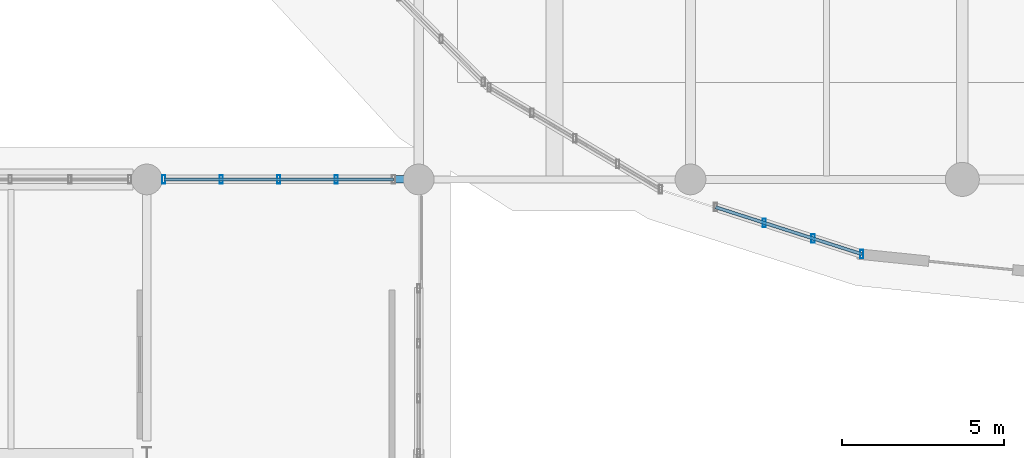
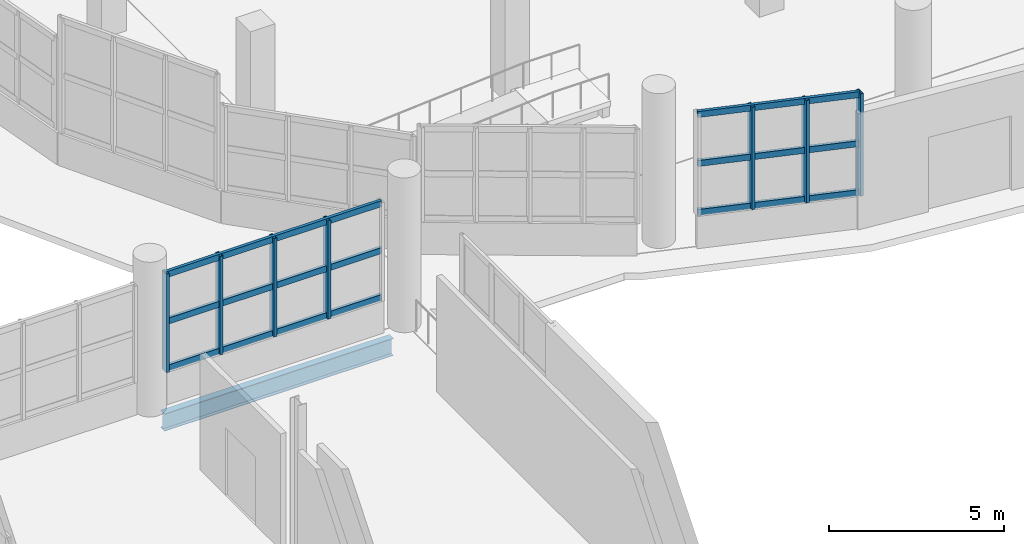
# One storey, part 5 of 107: 13 members, 1 beam, 2 elements without a shape of their own.
"""IFC4 building model written with IfcOpenShell, lengths in metres."""

from ifc_helpers import new_model, si_unit, direction, frame, origin, origin_2d, place, context, subcontext, project, spatial, hollow_rectangle, i_section, extrude, material, material_profile, profile_set, type_object, element, aggregate, save


model = new_model("IFC4")

# Units and contexts
model_context = context("Model", 3, precision=1e-05, world=origin(), true_north=direction((0.0, 1.0)))
body_context = subcontext(model_context, "Body", "Model", "MODEL_VIEW")
ifc_project = project(units=[si_unit("LENGTHUNIT", "METRE"), si_unit("AREAUNIT", "SQUARE_METRE"), si_unit("VOLUMEUNIT", "CUBIC_METRE"), si_unit("PLANEANGLEUNIT", "RADIAN"), si_unit("MASSUNIT", "GRAM", prefix="KILO")], contexts=[model_context])

# Site, building, storey
site_placement = place(None, origin())
site = spatial("IfcSite", under=ifc_project, at=site_placement, CompositionType="ELEMENT")
building_placement = place(site_placement, origin())
building = spatial("IfcBuilding", under=site, at=building_placement, Name="Solvento Point Concert Hall", CompositionType="ELEMENT")
storey_placement = place(building_placement, origin())
storey = spatial("IfcBuildingStorey", under=building, at=storey_placement, Name="L00", CompositionType="ELEMENT", Elevation=0.0)

# Beam
ifc_material_1 = material(Name="Structural Steel ASTM A992 Grade 50", Category="steel")
ifc_material_profile_1 = material_profile(ifc_material_1, i_section(OverallWidth=0.228515625, OverallDepth=0.60791015625, WebThickness=0.01123046875, FlangeThickness=0.017333984375, at=origin_2d()), Name="W24X76")
ifc_profile_set_1 = profile_set([ifc_material_profile_1], Name="Structural Steel ASTM A992 Grade 50")
beam_type = type_object("IfcBeamType", Name="Beam_W24X76", PredefinedType="BEAM", material=ifc_profile_set_1)
beam_placement = place(storey_placement, frame((32.823974609375, 17.0, -0.60791015625), z_axis=(1.0, 0.0, 0.0), x_axis=(0.0, 1.0, 0.0)))
element("IfcBeam", 1, at=beam_placement, inside=storey, type_object=beam_type, Name="Primary girder B-42 L00", PredefinedType="BEAM", context=body_context, shape_type="SweptSolid", body=[
    extrude(i_section(OverallWidth=0.228515625, OverallDepth=0.60791015625, WebThickness=0.01123046875, FlangeThickness=0.017333984375, at=origin_2d()), origin(), (0.0, 0.0, 1.0), 7.552001953125),
])

# Curtain wall, members
ifc_material_2 = material(Name="Anodized Bronze Aluminium", Category="aluminium")
curtain_wall_type = type_object("IfcCurtainWallType", Name="CurtainWall_FoyerL00", PredefinedType="USERDEFINED", material=ifc_material_2)
curtain_wall_1_placement = place(storey_placement, origin())
curtain_wall_1 = element("IfcCurtainWall", 2, at=curtain_wall_1_placement, inside=storey, type_object=curtain_wall_type, Name="Unitised curtain wall CW-29 UCW-L00-001", ObjectType="UNITISED CURTAIN WALL", PredefinedType="USERDEFINED")
ifc_material_3 = material(Name="Anodized Bronze Aluminium", Category="aluminium")
ifc_material_profile_2 = material_profile(ifc_material_3, hollow_rectangle(XDim=0.10009765625, YDim=0.260009765625, WallThickness=0.0048828125, at=origin_2d()), Name="CW-MUL-100X260")
ifc_profile_set_2 = profile_set([ifc_material_profile_2], Name="Anodized Bronze Aluminium")
member_type_1 = type_object("IfcMemberType", Name="Mullion_100x260", PredefinedType="MULLION", material=ifc_profile_set_2)
member_1_placement = place(storey_placement, frame((54.493896484375, 14.690673828125, 1.1201171875), z_axis=(0.0, 0.0, 1.0), x_axis=(1.0, 0.0, 0.0)))
member_1 = element("IfcMember", 3, at=member_1_placement, type_object=member_type_1, Name="Curtain wall mullion ML-03", PredefinedType="MULLION", context=body_context, shape_type="SweptSolid", body=[
    extrude(hollow_rectangle(XDim=0.10009765625, YDim=0.260009765625, WallThickness=0.0048828125, at=origin_2d()), origin(), (0.0, 0.0, 1.0), 3.577392578125),
])
member_2_placement = place(storey_placement, frame((52.987060546875, 15.174560546875, 1.1201171875), z_axis=(0.0, 0.0, 1.0), x_axis=(1.0, 0.0, 0.0)))
member_2 = element("IfcMember", 4, at=member_2_placement, type_object=member_type_1, Name="Curtain wall mullion ML-03", PredefinedType="MULLION", context=body_context, shape_type="SweptSolid", body=[
    extrude(hollow_rectangle(XDim=0.10009765625, YDim=0.260009765625, WallThickness=0.0048828125, at=origin_2d()), origin(), (0.0, 0.0, 1.0), 3.577392578125),
])
member_3_placement = place(storey_placement, frame((51.48046875, 15.658203125, 1.1201171875), z_axis=(0.0, 0.0, 1.0), x_axis=(1.0, 0.0, 0.0)))
member_3 = element("IfcMember", 5, at=member_3_placement, type_object=member_type_1, Name="Curtain wall mullion ML-03", PredefinedType="MULLION", context=body_context, shape_type="SweptSolid", body=[
    extrude(hollow_rectangle(XDim=0.10009765625, YDim=0.260009765625, WallThickness=0.0048828125, at=origin_2d()), origin(), (0.0, 0.0, 1.0), 3.577392578125),
])

curtain_wall_2_placement = place(storey_placement, origin())
curtain_wall_2 = element("IfcCurtainWall", 6, at=curtain_wall_2_placement, inside=storey, type_object=curtain_wall_type, Name="Unitised curtain wall CW-29 UCW-L00-060", ObjectType="UNITISED CURTAIN WALL", PredefinedType="USERDEFINED")
member_4_placement = place(storey_placement, frame((32.925048828125, 17.0, 1.1201171875), z_axis=(0.0, 0.0, 1.0), x_axis=(1.0, 0.0, 0.0)))
member_4 = element("IfcMember", 7, at=member_4_placement, type_object=member_type_1, Name="Curtain wall mullion ML-03", PredefinedType="MULLION", context=body_context, shape_type="SweptSolid", body=[
    extrude(hollow_rectangle(XDim=0.10009765625, YDim=0.260009765625, WallThickness=0.0048828125, at=origin_2d()), origin(), (0.0, 0.0, 1.0), 3.434814453125),
])
member_5_placement = place(storey_placement, frame((34.699951171875, 17.0, 1.1201171875), z_axis=(0.0, 0.0, 1.0), x_axis=(1.0, 0.0, 0.0)))
member_5 = element("IfcMember", 8, at=member_5_placement, type_object=member_type_1, Name="Curtain wall mullion ML-03", PredefinedType="MULLION", context=body_context, shape_type="SweptSolid", body=[
    extrude(hollow_rectangle(XDim=0.10009765625, YDim=0.260009765625, WallThickness=0.0048828125, at=origin_2d()), origin(), (0.0, 0.0, 1.0), 3.434814453125),
])
member_6_placement = place(storey_placement, frame((36.47509765625, 17.0, 1.1201171875), z_axis=(0.0, 0.0, 1.0), x_axis=(1.0, 0.0, 0.0)))
member_6 = element("IfcMember", 9, at=member_6_placement, type_object=member_type_1, Name="Curtain wall mullion ML-03", PredefinedType="MULLION", context=body_context, shape_type="SweptSolid", body=[
    extrude(hollow_rectangle(XDim=0.10009765625, YDim=0.260009765625, WallThickness=0.0048828125, at=origin_2d()), origin(), (0.0, 0.0, 1.0), 3.434814453125),
])
member_7_placement = place(storey_placement, frame((38.25, 17.0, 1.1201171875), z_axis=(0.0, 0.0, 1.0), x_axis=(1.0, 0.0, 0.0)))
member_7 = element("IfcMember", 10, at=member_7_placement, type_object=member_type_1, Name="Curtain wall mullion ML-03", PredefinedType="MULLION", context=body_context, shape_type="SweptSolid", body=[
    extrude(hollow_rectangle(XDim=0.10009765625, YDim=0.260009765625, WallThickness=0.0048828125, at=origin_2d()), origin(), (0.0, 0.0, 1.0), 3.434814453125),
])

# Member
ifc_material_4 = material(Name="Anodized Bronze Aluminium", Category="aluminium")
ifc_material_profile_3 = material_profile(ifc_material_4, hollow_rectangle(XDim=0.10009765625, YDim=0.2099609375, WallThickness=0.0048828125, at=origin_2d()), Name="CW-TRN-100X210")
ifc_profile_set_3 = profile_set([ifc_material_profile_3], Name="Anodized Bronze Aluminium")
member_type_2 = type_object("IfcMemberType", Name="Transom_100x210", PredefinedType="USERDEFINED", material=ifc_profile_set_3)
member_8_placement = place(storey_placement, frame((54.493896484375, 14.690673828125, 1.199951171875), z_axis=(-0.95212215068, 0.305717860426, 0.0), x_axis=(-0.305717860426, -0.95212215068, 0.0)))
member_8 = element("IfcMember", 11, at=member_8_placement, type_object=member_type_2, Name="Curtain wall transom TR-03", ObjectType="TRANSOM", PredefinedType="USERDEFINED", context=body_context, shape_type="SweptSolid", body=[
    extrude(hollow_rectangle(XDim=0.10009765625, YDim=0.2099609375, WallThickness=0.0048828125, at=origin_2d()), origin(), (0.0, 0.0, 1.0), 4.74755859375),
])

member_9_placement = place(storey_placement, frame((54.493896484375, 14.690673828125, 2.90869140625), z_axis=(-0.95212215068, 0.305717860426, 0.0), x_axis=(-0.305717860426, -0.95212215068, 0.0)))
member_9 = element("IfcMember", 12, at=member_9_placement, type_object=member_type_2, Name="Curtain wall transom TR-03", ObjectType="TRANSOM", PredefinedType="USERDEFINED", context=body_context, shape_type="SweptSolid", body=[
    extrude(hollow_rectangle(XDim=0.10009765625, YDim=0.2099609375, WallThickness=0.0048828125, at=origin_2d()), origin(), (0.0, 0.0, 1.0), 4.74755859375),
])

member_10_placement = place(storey_placement, frame((54.493896484375, 14.690673828125, 4.61767578125), z_axis=(-0.95212215068, 0.305717860426, 0.0), x_axis=(-0.305717860426, -0.95212215068, 0.0)))
member_10 = element("IfcMember", 13, at=member_10_placement, type_object=member_type_2, Name="Curtain wall transom TR-03", ObjectType="TRANSOM", PredefinedType="USERDEFINED", context=body_context, shape_type="SweptSolid", body=[
    extrude(hollow_rectangle(XDim=0.10009765625, YDim=0.2099609375, WallThickness=0.0048828125, at=origin_2d()), origin(), (0.0, 0.0, 1.0), 4.74755859375),
])

aggregate(curtain_wall_1, [member_1, member_2, member_3, member_8, member_9, member_10])

member_11_placement = place(storey_placement, frame((32.925048828125, 17.0, 1.199951171875), z_axis=(1.0, 0.0, 0.0), x_axis=(0.0, 1.0, 0.0)))
member_11 = element("IfcMember", 14, at=member_11_placement, type_object=member_type_2, Name="Curtain wall transom TR-03", ObjectType="TRANSOM", PredefinedType="USERDEFINED", context=body_context, shape_type="SweptSolid", body=[
    extrude(hollow_rectangle(XDim=0.10009765625, YDim=0.2099609375, WallThickness=0.0048828125, at=origin_2d()), origin(), (0.0, 0.0, 1.0), 7.099853515625),
])

member_12_placement = place(storey_placement, frame((32.925048828125, 17.0, 2.83740234375), z_axis=(1.0, 0.0, 0.0), x_axis=(0.0, 1.0, 0.0)))
member_12 = element("IfcMember", 15, at=member_12_placement, type_object=member_type_2, Name="Curtain wall transom TR-03", ObjectType="TRANSOM", PredefinedType="USERDEFINED", context=body_context, shape_type="SweptSolid", body=[
    extrude(hollow_rectangle(XDim=0.10009765625, YDim=0.2099609375, WallThickness=0.0048828125, at=origin_2d()), origin(), (0.0, 0.0, 1.0), 7.099853515625),
])

member_13_placement = place(storey_placement, frame((32.925048828125, 17.0, 4.47509765625), z_axis=(1.0, 0.0, 0.0), x_axis=(0.0, 1.0, 0.0)))
member_13 = element("IfcMember", 16, at=member_13_placement, type_object=member_type_2, Name="Curtain wall transom TR-03", ObjectType="TRANSOM", PredefinedType="USERDEFINED", context=body_context, shape_type="SweptSolid", body=[
    extrude(hollow_rectangle(XDim=0.10009765625, YDim=0.2099609375, WallThickness=0.0048828125, at=origin_2d()), origin(), (0.0, 0.0, 1.0), 7.099853515625),
])

aggregate(curtain_wall_2, [member_4, member_5, member_6, member_7, member_11, member_12, member_13])

save(model, "model.ifc")
